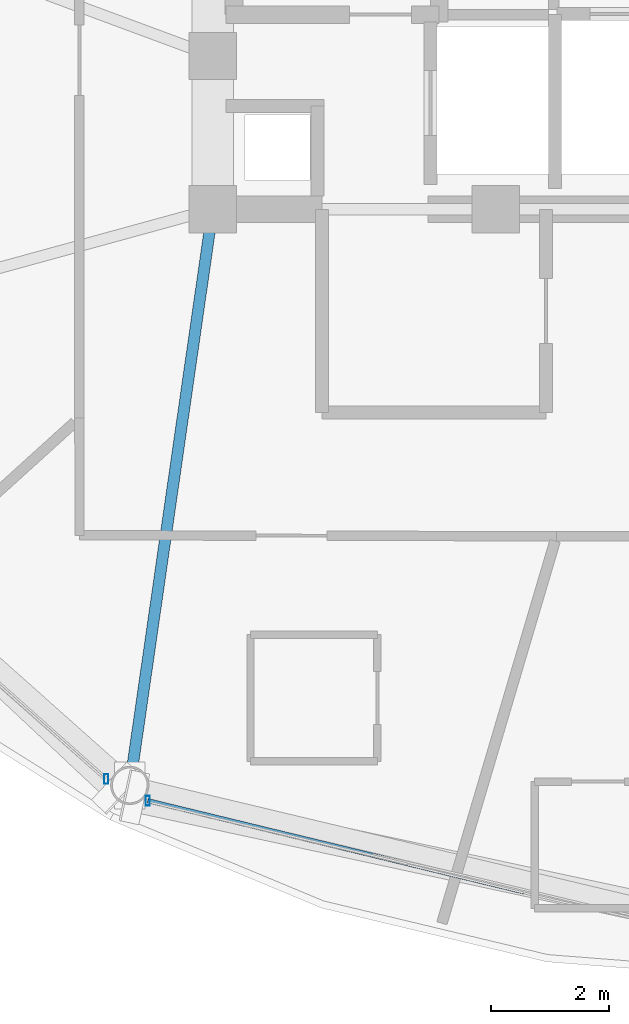
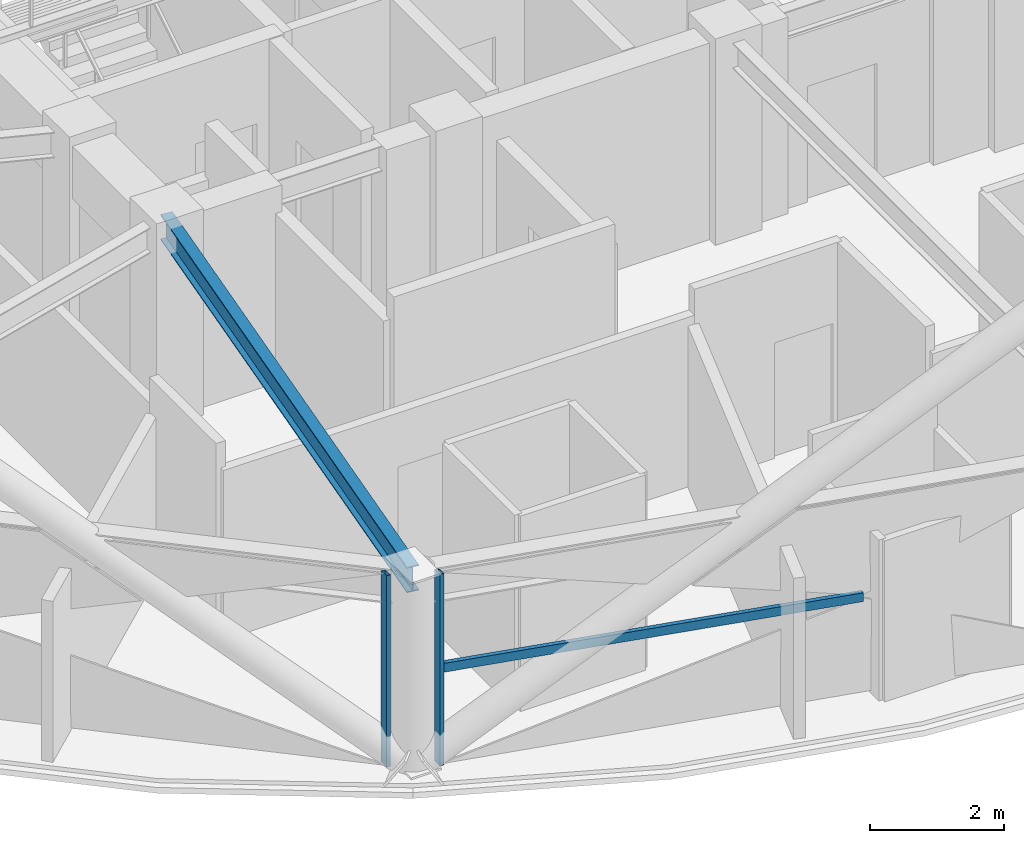
# One storey, part 2 of 29: 3 members, 1 beam, 2 elements without a shape of their own.
"""IFC4 building model written with IfcOpenShell, lengths in metres."""

from ifc_helpers import new_model, si_unit, direction, frame, origin, origin_2d, place, context, subcontext, project, spatial, hollow_rectangle, i_section, extrude, material, layer, layer_set, material_profile, profile_set, type_object, element, aggregate, save


model = new_model("IFC4")

# Units and contexts
model_context = context("Model", 3, precision=1e-05, world=origin(), true_north=direction((0.0, 1.0)))
body_context = subcontext(model_context, "Body", "Model", "MODEL_VIEW")
ifc_project = project(units=[si_unit("LENGTHUNIT", "METRE"), si_unit("AREAUNIT", "SQUARE_METRE"), si_unit("VOLUMEUNIT", "CUBIC_METRE"), si_unit("PLANEANGLEUNIT", "RADIAN"), si_unit("MASSUNIT", "GRAM", prefix="KILO")], contexts=[model_context])

# Site, building, storey
site_placement = place(None, origin())
site = spatial("IfcSite", under=ifc_project, at=site_placement, CompositionType="ELEMENT")
building_placement = place(site_placement, origin())
building = spatial("IfcBuilding", under=site, at=building_placement, Name="Vantalir Tower", CompositionType="ELEMENT")
storey_placement = place(building_placement, frame((0.0, 0.0, 227.39990234375)))
storey = spatial("IfcBuildingStorey", under=building, at=storey_placement, Name="L57", CompositionType="ELEMENT", Elevation=227.39990234375)

# Beam
ifc_material_1 = material(Name="Steel S355", Category="steel")
ifc_material_profile_1 = material_profile(ifc_material_1, i_section(OverallWidth=0.19189453125, OverallDepth=0.462890625, WebThickness=0.010498046875, FlangeThickness=0.017578125, at=origin_2d()), Name="Steel S355")
ifc_profile_set_1 = profile_set([ifc_material_profile_1], Name="Steel S355")
beam_type = type_object("IfcBeamType", Name="BM-RB-457x191", PredefinedType="BEAM", material=ifc_profile_set_1)
beam_placement = place(storey_placement, frame((20.492919921875, 8.029052734375, 3.338134765625), z_axis=(0.142525762499, 0.989791092617, 0.0), x_axis=(-0.989791092617, 0.142525762499, 0.0)))
element("IfcBeam", 1, at=beam_placement, inside=storey, type_object=beam_type, Name="L57 Radial Floor Beam 09", PredefinedType="BEAM", context=body_context, shape_type="SweptSolid", body=[
    extrude(i_section(OverallWidth=0.19189453125, OverallDepth=0.462890625, WebThickness=0.010498046875, FlangeThickness=0.017578125, at=origin_2d()), origin(), (0.0, 0.0, 1.0), 9.871826171875),
])

# Curtain wall, member
ifc_material_2 = material(Name="Champagne-silver PVDF aluminium and double-silver Low-E glass", Category="aluminium")
ifc_layer = layer(ifc_material_2, 0.2099609375)
ifc_layer_set = layer_set([ifc_layer], Name="Champagne-silver PVDF aluminium and double-silver Low-E glass")
curtain_wall_type = type_object("IfcCurtainWallType", Name="CW-DIAMOND-Z3", PredefinedType="USERDEFINED", material=ifc_layer_set)
curtain_wall_1_placement = place(storey_placement, origin())
curtain_wall_1 = element("IfcCurtainWall", 2, at=curtain_wall_1_placement, inside=storey, type_object=curtain_wall_type, Name="L57 Quilted Pyramid-Diamond Curtain Wall S08", ObjectType="UNITISED CURTAIN WALL", PredefinedType="USERDEFINED")
ifc_material_3 = material(Name="Champagne-silver PVDF aluminium 6063-T6", Category="aluminium")
ifc_material_profile_2 = material_profile(ifc_material_3, hollow_rectangle(XDim=0.070068359375, YDim=0.1650390625, WallThickness=0.00390625, at=origin_2d()), Name="Champagne-silver PVDF aluminium 6063-T6")
ifc_profile_set_2 = profile_set([ifc_material_profile_2], Name="Champagne-silver PVDF aluminium 6063-T6")
member_type_1 = type_object("IfcMemberType", Name="CWM-165x70", PredefinedType="MULLION", material=ifc_profile_set_2)
member_1_placement = place(storey_placement, frame((20.092041015625, 8.137939453125, 0.045166015625), z_axis=(0.0, 0.0, 1.0), x_axis=(1.0, 0.0, 0.0)))
member_1 = element("IfcMember", 3, at=member_1_placement, type_object=member_type_1, Name="CW-L57-S08 Mullion 2", PredefinedType="MULLION", context=body_context, shape_type="SweptSolid", body=[
    extrude(hollow_rectangle(XDim=0.070068359375, YDim=0.1650390625, WallThickness=0.00390625, at=origin_2d()), origin(), (0.0, 0.0, 1.0), 3.47998046875),
])
aggregate(curtain_wall_1, [member_1])

# Curtain wall, members
curtain_wall_2_placement = place(storey_placement, origin())
curtain_wall_2 = element("IfcCurtainWall", 4, at=curtain_wall_2_placement, inside=storey, type_object=curtain_wall_type, Name="L57 Quilted Pyramid-Diamond Curtain Wall S09", ObjectType="UNITISED CURTAIN WALL", PredefinedType="USERDEFINED")
member_2_placement = place(storey_placement, frame((20.797119140625, 7.77001953125, 0.045166015625), z_axis=(0.0, 0.0, 1.0), x_axis=(1.0, 0.0, 0.0)))
member_2 = element("IfcMember", 5, at=member_2_placement, type_object=member_type_1, Name="CW-L57-S09 Mullion 1", PredefinedType="MULLION", context=body_context, shape_type="SweptSolid", body=[
    extrude(hollow_rectangle(XDim=0.070068359375, YDim=0.1650390625, WallThickness=0.00390625, at=origin_2d()), origin(), (0.0, 0.0, 1.0), 3.47998046875),
])
ifc_material_profile_3 = material_profile(ifc_material_3, hollow_rectangle(XDim=0.074951171875, YDim=0.159912109375, WallThickness=0.00390625, at=origin_2d()), Name="Champagne-silver PVDF aluminium 6063-T6")
ifc_profile_set_3 = profile_set([ifc_material_profile_3], Name="Champagne-silver PVDF aluminium 6063-T6")
member_type_2 = type_object("IfcMemberType", Name="CWT-160x75", PredefinedType="USERDEFINED", material=ifc_profile_set_3)
member_3_placement = place(storey_placement, frame((20.797119140625, 7.77001953125, 1.78515625), z_axis=(0.971789982032, -0.235847897643, 0.0), x_axis=(0.235847897643, 0.971789982032, 0.0)))
member_3 = element("IfcMember", 6, at=member_3_placement, type_object=member_type_2, Name="CW-L57-S09 Pyramid Fold Ridge Transom", ObjectType="TRANSOM", PredefinedType="USERDEFINED", context=body_context, shape_type="SweptSolid", body=[
    extrude(hollow_rectangle(XDim=0.074951171875, YDim=0.159912109375, WallThickness=0.00390625, at=origin_2d()), origin(), (0.0, 0.0, 1.0), 6.568115234375),
])
aggregate(curtain_wall_2, [member_2, member_3])

save(model, "model.ifc")
